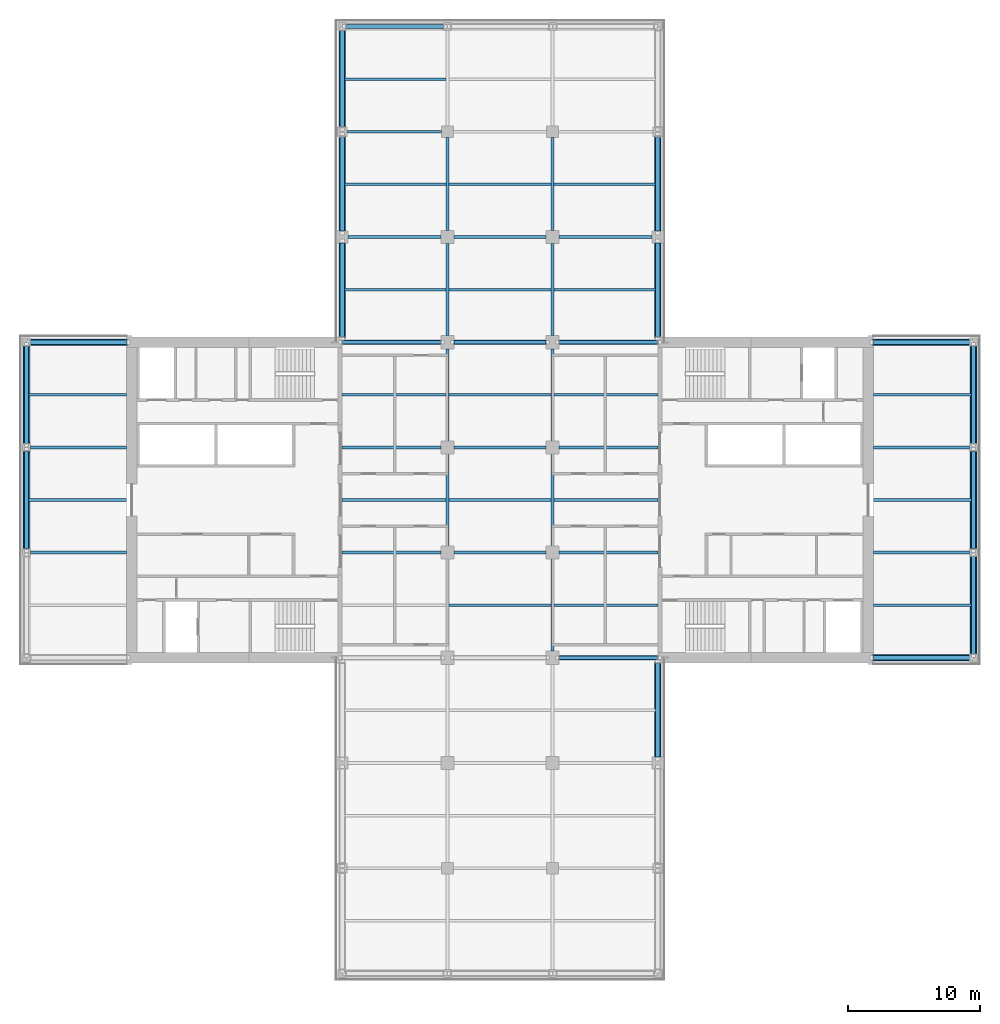
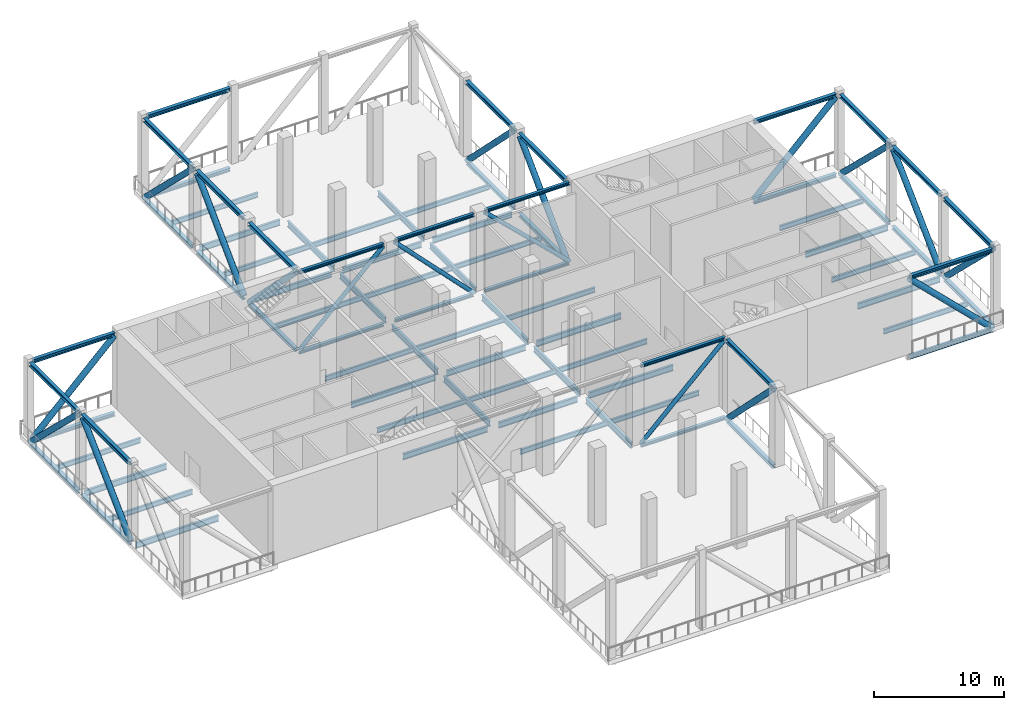
# One storey, part 2 of 18: 56 members, 43 beams.
"""IFC4 building model written with IfcOpenShell, lengths in metres."""

from ifc_helpers import new_model, si_unit, direction, frame, origin, origin_2d, place, context, subcontext, project, spatial, hollow_circle, i_section, extrude, material, material_profile, profile_set, type_object, element, save


model = new_model("IFC4")

# Units and contexts
model_context = context("Model", 3, precision=1e-05, world=origin(), true_north=direction((0.0, 1.0)))
body_context = subcontext(model_context, "Body", "Model", "MODEL_VIEW")
ifc_project = project(units=[si_unit("LENGTHUNIT", "METRE"), si_unit("AREAUNIT", "SQUARE_METRE"), si_unit("VOLUMEUNIT", "CUBIC_METRE"), si_unit("PLANEANGLEUNIT", "RADIAN"), si_unit("MASSUNIT", "GRAM", prefix="KILO")], contexts=[model_context])

# Site, building, storey
site_placement = place(None, origin())
site = spatial("IfcSite", under=ifc_project, at=site_placement, CompositionType="ELEMENT")
building_placement = place(site_placement, origin())
building = spatial("IfcBuilding", under=site, at=building_placement, Name="Crosswind Convention Tower", CompositionType="ELEMENT")
storey_placement = place(building_placement, frame((0.0, 0.0, 105.300048828125)))
storey = spatial("IfcBuildingStorey", under=building, at=storey_placement, Name="L21", CompositionType="ELEMENT", Elevation=105.300048828125)

# Beams
ifc_material = material(Name="Steel S355", Category="steel")
ifc_material_profile_1 = material_profile(ifc_material, i_section(OverallWidth=0.210693359375, OverallDepth=0.53955078125, WebThickness=0.01171875, FlangeThickness=0.018798828125, FilletRadius=0.0126953125, at=origin_2d()), Name="UB 533x210x109")
ifc_profile_set_1 = profile_set([ifc_material_profile_1], Name="Steel S355")
beam_type_1 = type_object("IfcBeamType", Name="Girder UB 533x210x109", PredefinedType="BEAM", material=ifc_profile_set_1)
beam_1_placement = place(storey_placement, frame((113.39990234375, 128.0, -0.669677734375), z_axis=(1.0, 0.0, 0.0), x_axis=(0.0, 1.0, 0.0)))
element("IfcBeam", 1, at=beam_1_placement, inside=storey, type_object=beam_type_1, Name="B5 L21 girder 2", PredefinedType="BEAM", context=body_context, shape_type="SweptSolid", body=[
    extrude(i_section(OverallWidth=0.210693359375, OverallDepth=0.53955078125, WebThickness=0.01171875, FlangeThickness=0.018798828125, FilletRadius=0.0126953125, at=origin_2d()), origin(), (0.0, 0.0, 1.0), 7.150146484375),
])
beam_2_placement = place(storey_placement, frame((113.449951171875, 120.0, -0.669677734375), z_axis=(1.0, 0.0, 0.0), x_axis=(0.0, 1.0, 0.0)))
element("IfcBeam", 2, at=beam_2_placement, inside=storey, type_object=beam_type_1, Name="B5 L21 girder 4", PredefinedType="BEAM", context=body_context, shape_type="SweptSolid", body=[
    extrude(i_section(OverallWidth=0.210693359375, OverallDepth=0.53955078125, WebThickness=0.01171875, FlangeThickness=0.018798828125, FilletRadius=0.0126953125, at=origin_2d()), origin(), (0.0, 0.0, 1.0), 7.050048828125),
])
for number, where, z_axis, x_axis, name in (
    (3, (121.0, 96.5, -0.669677734375), (0.0, 1.0, 0.0), (-1.0, 0.0, 0.0), "B5 L21 girder 9"),
    (4, (121.0, 104.5, -0.669677734375), (0.0, 1.0, 0.0), (-1.0, 0.0, 0.0), "B5 L21 girder 10"),
    (5, (121.0, 112.5, -0.669677734375), (0.0, 1.0, 0.0), (-1.0, 0.0, 0.0), "B5 L21 girder 11"),
):
    element("IfcBeam", number, at=place(storey_placement, frame(where, z_axis=z_axis, x_axis=x_axis)), inside=storey, type_object=beam_type_1, Name=name, PredefinedType="BEAM", context=body_context, shape_type="SweptSolid", body=[
        extrude(i_section(OverallWidth=0.210693359375, OverallDepth=0.53955078125, WebThickness=0.01171875, FlangeThickness=0.018798828125, FilletRadius=0.0126953125, at=origin_2d()), origin(), (0.0, 0.0, 1.0), 7.0),
    ])
beam_3_placement = place(storey_placement, frame((121.0, 120.5, -0.669677734375), z_axis=(0.0, 1.0, 0.0), x_axis=(-1.0, 0.0, 0.0)))
element("IfcBeam", 6, at=beam_3_placement, inside=storey, type_object=beam_type_1, Name="B5 L21 girder 12", PredefinedType="BEAM", context=body_context, shape_type="SweptSolid", body=[
    extrude(i_section(OverallWidth=0.210693359375, OverallDepth=0.53955078125, WebThickness=0.01171875, FlangeThickness=0.018798828125, FilletRadius=0.0126953125, at=origin_2d()), origin(), (0.0, 0.0, 1.0), 7.050048828125),
])
for number, where, z_axis, x_axis, name in (
    (7, (121.5, 96.0, -0.669677734375), (1.0, 0.0, 0.0), (0.0, 1.0, 0.0), "B5 L21 girder 17"),
    (8, (121.5, 104.0, -0.669677734375), (1.0, 0.0, 0.0), (0.0, 1.0, 0.0), "B5 L21 girder 18"),
    (9, (121.5, 120.0, -0.669677734375), (1.0, 0.0, 0.0), (0.0, 1.0, 0.0), "B5 L21 girder 19"),
    (10, (129.0, 88.5, -0.669677734375), (0.0, 1.0, 0.0), (-1.0, 0.0, 0.0), "B5 L21 girder 23"),
    (11, (129.0, 96.5, -0.669677734375), (0.0, 1.0, 0.0), (-1.0, 0.0, 0.0), "B5 L21 girder 24"),
    (12, (129.0, 104.5, -0.669677734375), (0.0, 1.0, 0.0), (-1.0, 0.0, 0.0), "B5 L21 girder 25"),
    (13, (129.0, 112.5, -0.669677734375), (0.0, 1.0, 0.0), (-1.0, 0.0, 0.0), "B5 L21 girder 26"),
):
    element("IfcBeam", number, at=place(storey_placement, frame(where, z_axis=z_axis, x_axis=x_axis)), inside=storey, type_object=beam_type_1, Name=name, PredefinedType="BEAM", context=body_context, shape_type="SweptSolid", body=[
        extrude(i_section(OverallWidth=0.210693359375, OverallDepth=0.53955078125, WebThickness=0.01171875, FlangeThickness=0.018798828125, FilletRadius=0.0126953125, at=origin_2d()), origin(), (0.0, 0.0, 1.0), 7.0),
    ])
for number, where, z_axis, x_axis, name in (
    (14, (129.0, 120.5, -0.669677734375), (0.0, 1.0, 0.0), (-1.0, 0.0, 0.0), "B5 L21 girder 27"),
    (15, (129.5, 120.0, -0.669677734375), (1.0, 0.0, 0.0), (0.0, 1.0, 0.0), "B5 L21 girder 32"),
):
    element("IfcBeam", number, at=place(storey_placement, frame(where, z_axis=z_axis, x_axis=x_axis)), inside=storey, type_object=beam_type_1, Name=name, PredefinedType="BEAM", context=body_context, shape_type="SweptSolid", body=[
        extrude(i_section(OverallWidth=0.210693359375, OverallDepth=0.53955078125, WebThickness=0.01171875, FlangeThickness=0.018798828125, FilletRadius=0.0126953125, at=origin_2d()), origin(), (0.0, 0.0, 1.0), 7.050048828125),
    ])
ifc_material_profile_2 = material_profile(ifc_material, i_section(OverallWidth=0.2119140625, OverallDepth=0.544677734375, WebThickness=0.0126953125, FlangeThickness=0.021240234375, FilletRadius=0.0126953125, at=origin_2d()), Name="UB 533x210x122")
ifc_profile_set_2 = profile_set([ifc_material_profile_2], Name="Steel S355")
beam_type_2 = type_object("IfcBeamType", Name="Girder at core wall UB 533x210x122", PredefinedType="BEAM", material=ifc_profile_set_2)
for number, where, z_axis, x_axis, name in (
    (16, (89.300048828125, 96.0, -0.67236328125), (1.0, 0.0, 0.0), (0.0, 1.0, 0.0), "B26 L21 girder at core wall 1"),
    (17, (89.300048828125, 104.0, -0.67236328125), (1.0, 0.0, 0.0), (0.0, 1.0, 0.0), "B26 L21 girder at core wall 2"),
):
    element("IfcBeam", number, at=place(storey_placement, frame(where, z_axis=z_axis, x_axis=x_axis)), inside=storey, type_object=beam_type_2, Name=name, PredefinedType="BEAM", context=body_context, shape_type="SweptSolid", body=[
        extrude(i_section(OverallWidth=0.2119140625, OverallDepth=0.544677734375, WebThickness=0.0126953125, FlangeThickness=0.021240234375, FilletRadius=0.0126953125, at=origin_2d()), origin(), (0.0, 0.0, 1.0), 7.300048828125),
    ])
for number, where, z_axis, x_axis, name in (
    (18, (113.0, 96.0, -0.67236328125), (1.0, 0.0, 0.0), (0.0, 1.0, 0.0), "B26 L21 girder at core wall 3"),
    (19, (113.0, 104.0, -0.67236328125), (1.0, 0.0, 0.0), (0.0, 1.0, 0.0), "B26 L21 girder at core wall 4"),
    (20, (129.5, 96.0, -0.67236328125), (1.0, 0.0, 0.0), (0.0, 1.0, 0.0), "B26 L21 girder at core wall 5"),
    (21, (129.5, 104.0, -0.67236328125), (1.0, 0.0, 0.0), (0.0, 1.0, 0.0), "B26 L21 girder at core wall 6"),
):
    element("IfcBeam", number, at=place(storey_placement, frame(where, z_axis=z_axis, x_axis=x_axis)), inside=storey, type_object=beam_type_2, Name=name, PredefinedType="BEAM", context=body_context, shape_type="SweptSolid", body=[
        extrude(i_section(OverallWidth=0.2119140625, OverallDepth=0.544677734375, WebThickness=0.0126953125, FlangeThickness=0.021240234375, FilletRadius=0.0126953125, at=origin_2d()), origin(), (0.0, 0.0, 1.0), 7.5),
    ])
for number, where, z_axis, x_axis, name in (
    (22, (153.39990234375, 96.0, -0.67236328125), (1.0, 0.0, 0.0), (0.0, 1.0, 0.0), "B26 L21 girder at core wall 7"),
    (23, (153.39990234375, 104.0, -0.67236328125), (1.0, 0.0, 0.0), (0.0, 1.0, 0.0), "B26 L21 girder at core wall 8"),
):
    element("IfcBeam", number, at=place(storey_placement, frame(where, z_axis=z_axis, x_axis=x_axis)), inside=storey, type_object=beam_type_2, Name=name, PredefinedType="BEAM", context=body_context, shape_type="SweptSolid", body=[
        extrude(i_section(OverallWidth=0.2119140625, OverallDepth=0.544677734375, WebThickness=0.0126953125, FlangeThickness=0.021240234375, FilletRadius=0.0126953125, at=origin_2d()), origin(), (0.0, 0.0, 1.0), 7.300048828125),
    ])
ifc_material_profile_3 = material_profile(ifc_material, i_section(OverallWidth=0.1904296875, OverallDepth=0.457275390625, WebThickness=0.009033203125, FlangeThickness=0.014404296875, FilletRadius=0.01025390625, at=origin_2d()), Name="UB 457x191x75")
ifc_profile_set_3 = profile_set([ifc_material_profile_3], Name="Steel S355")
beam_type_3 = type_object("IfcBeamType", Name="Secondary beam UB 457x191x75", PredefinedType="JOIST", material=ifc_profile_set_3)
for number, where, z_axis, x_axis, name in (
    (24, (89.156982421875, 100.0, -0.628662109375), (1.0, 0.0, 0.0), (0.0, 1.0, 0.0), "B12 L21 secondary beam 2"),
    (25, (89.156982421875, 108.0, -0.628662109375), (1.0, 0.0, 0.0), (0.0, 1.0, 0.0), "B12 L21 secondary beam 3"),
):
    element("IfcBeam", number, at=place(storey_placement, frame(where, z_axis=z_axis, x_axis=x_axis)), inside=storey, type_object=beam_type_3, Name=name, PredefinedType="JOIST", context=body_context, shape_type="SweptSolid", body=[
        extrude(i_section(OverallWidth=0.1904296875, OverallDepth=0.457275390625, WebThickness=0.009033203125, FlangeThickness=0.014404296875, FilletRadius=0.01025390625, at=origin_2d()), origin(), (0.0, 0.0, 1.0), 7.443115234375),
    ])
for number, where, z_axis, x_axis, name in (
    (26, (113.0, 100.0, -0.628662109375), (1.0, 0.0, 0.0), (0.0, 1.0, 0.0), "B12 L21 secondary beam 5"),
    (27, (113.0, 108.0, -0.628662109375), (1.0, 0.0, 0.0), (0.0, 1.0, 0.0), "B12 L21 secondary beam 6"),
):
    element("IfcBeam", number, at=place(storey_placement, frame(where, z_axis=z_axis, x_axis=x_axis)), inside=storey, type_object=beam_type_3, Name=name, PredefinedType="JOIST", context=body_context, shape_type="SweptSolid", body=[
        extrude(i_section(OverallWidth=0.1904296875, OverallDepth=0.457275390625, WebThickness=0.009033203125, FlangeThickness=0.014404296875, FilletRadius=0.01025390625, at=origin_2d()), origin(), (0.0, 0.0, 1.0), 7.89453125),
    ])
for number, where, z_axis, x_axis, name in (
    (28, (113.156982421875, 116.0, -0.628662109375), (1.0, 0.0, 0.0), (0.0, 1.0, 0.0), "B12 L21 secondary beam 10"),
    (29, (113.156982421875, 124.0, -0.628662109375), (1.0, 0.0, 0.0), (0.0, 1.0, 0.0), "B12 L21 secondary beam 11"),
    (30, (113.156982421875, 132.0, -0.628662109375), (1.0, 0.0, 0.0), (0.0, 1.0, 0.0), "B12 L21 secondary beam 12"),
):
    element("IfcBeam", number, at=place(storey_placement, frame(where, z_axis=z_axis, x_axis=x_axis)), inside=storey, type_object=beam_type_3, Name=name, PredefinedType="JOIST", context=body_context, shape_type="SweptSolid", body=[
        extrude(i_section(OverallWidth=0.1904296875, OverallDepth=0.457275390625, WebThickness=0.009033203125, FlangeThickness=0.014404296875, FilletRadius=0.01025390625, at=origin_2d()), origin(), (0.0, 0.0, 1.0), 7.737548828125),
    ])
for number, where, z_axis, x_axis, name in (
    (31, (121.10546875, 92.0, -0.628662109375), (1.0, 0.0, 0.0), (0.0, 1.0, 0.0), "B12 L21 secondary beam 16"),
    (32, (121.10546875, 100.0, -0.628662109375), (1.0, 0.0, 0.0), (0.0, 1.0, 0.0), "B12 L21 secondary beam 17"),
    (33, (121.10546875, 108.0, -0.628662109375), (1.0, 0.0, 0.0), (0.0, 1.0, 0.0), "B12 L21 secondary beam 18"),
    (34, (121.10546875, 116.0, -0.628662109375), (1.0, 0.0, 0.0), (0.0, 1.0, 0.0), "B12 L21 secondary beam 19"),
    (35, (121.10546875, 124.0, -0.628662109375), (1.0, 0.0, 0.0), (0.0, 1.0, 0.0), "B12 L21 secondary beam 20"),
):
    element("IfcBeam", number, at=place(storey_placement, frame(where, z_axis=z_axis, x_axis=x_axis)), inside=storey, type_object=beam_type_3, Name=name, PredefinedType="JOIST", context=body_context, shape_type="SweptSolid", body=[
        extrude(i_section(OverallWidth=0.1904296875, OverallDepth=0.457275390625, WebThickness=0.009033203125, FlangeThickness=0.014404296875, FilletRadius=0.01025390625, at=origin_2d()), origin(), (0.0, 0.0, 1.0), 7.7890625),
    ])
for number, where, z_axis, x_axis, name in (
    (36, (129.10546875, 92.0, -0.628662109375), (1.0, 0.0, 0.0), (0.0, 1.0, 0.0), "B12 L21 secondary beam 25"),
    (37, (129.10546875, 100.0, -0.628662109375), (1.0, 0.0, 0.0), (0.0, 1.0, 0.0), "B12 L21 secondary beam 26"),
    (38, (129.10546875, 108.0, -0.628662109375), (1.0, 0.0, 0.0), (0.0, 1.0, 0.0), "B12 L21 secondary beam 27"),
):
    element("IfcBeam", number, at=place(storey_placement, frame(where, z_axis=z_axis, x_axis=x_axis)), inside=storey, type_object=beam_type_3, Name=name, PredefinedType="JOIST", context=body_context, shape_type="SweptSolid", body=[
        extrude(i_section(OverallWidth=0.1904296875, OverallDepth=0.457275390625, WebThickness=0.009033203125, FlangeThickness=0.014404296875, FilletRadius=0.01025390625, at=origin_2d()), origin(), (0.0, 0.0, 1.0), 7.89453125),
    ])
for number, where, z_axis, x_axis, name in (
    (39, (129.10546875, 116.0, -0.628662109375), (1.0, 0.0, 0.0), (0.0, 1.0, 0.0), "B12 L21 secondary beam 28"),
    (40, (129.10546875, 124.0, -0.628662109375), (1.0, 0.0, 0.0), (0.0, 1.0, 0.0), "B12 L21 secondary beam 29"),
):
    element("IfcBeam", number, at=place(storey_placement, frame(where, z_axis=z_axis, x_axis=x_axis)), inside=storey, type_object=beam_type_3, Name=name, PredefinedType="JOIST", context=body_context, shape_type="SweptSolid", body=[
        extrude(i_section(OverallWidth=0.1904296875, OverallDepth=0.457275390625, WebThickness=0.009033203125, FlangeThickness=0.014404296875, FilletRadius=0.01025390625, at=origin_2d()), origin(), (0.0, 0.0, 1.0), 7.737548828125),
    ])
for number, where, z_axis, x_axis, name in (
    (41, (153.39990234375, 92.0, -0.628662109375), (1.0, 0.0, 0.0), (0.0, 1.0, 0.0), "B12 L21 secondary beam 31"),
    (42, (153.39990234375, 100.0, -0.628662109375), (1.0, 0.0, 0.0), (0.0, 1.0, 0.0), "B12 L21 secondary beam 32"),
    (43, (153.39990234375, 108.0, -0.628662109375), (1.0, 0.0, 0.0), (0.0, 1.0, 0.0), "B12 L21 secondary beam 33"),
):
    element("IfcBeam", number, at=place(storey_placement, frame(where, z_axis=z_axis, x_axis=x_axis)), inside=storey, type_object=beam_type_3, Name=name, PredefinedType="JOIST", context=body_context, shape_type="SweptSolid", body=[
        extrude(i_section(OverallWidth=0.1904296875, OverallDepth=0.457275390625, WebThickness=0.009033203125, FlangeThickness=0.014404296875, FilletRadius=0.01025390625, at=origin_2d()), origin(), (0.0, 0.0, 1.0), 7.443115234375),
    ])

# Members
ifc_material_profile_4 = material_profile(ifc_material, i_section(OverallWidth=0.264404296875, OverallDepth=0.2890625, WebThickness=0.019287109375, FlangeThickness=0.03173828125, FilletRadius=0.0126953125, at=origin_2d()), Name="UC 254x254x167")
ifc_profile_set_4 = profile_set([ifc_material_profile_4], Name="Steel S355")
member_type_1 = type_object("IfcMemberType", Name="Truss chord UC 254x254x167", PredefinedType="CHORD", material=ifc_profile_set_4)
for number, where, z_axis, x_axis, name in (
    (44, (113.0, 112.0, -0.544677734375), (1.0, 0.0, 0.0), (0.0, 1.0, 0.0), "M3 L21 bottom chord 30"),
    (45, (113.0, 112.0, 6.955322265625), (1.0, 0.0, 0.0), (0.0, 1.0, 0.0), "M3 L21 top chord 30"),
):
    element("IfcMember", number, at=place(storey_placement, frame(where, z_axis=z_axis, x_axis=x_axis)), inside=storey, type_object=member_type_1, Name=name, PredefinedType="CHORD", context=body_context, shape_type="SweptSolid", body=[
        extrude(i_section(OverallWidth=0.264404296875, OverallDepth=0.2890625, WebThickness=0.019287109375, FlangeThickness=0.03173828125, FilletRadius=0.0126953125, at=origin_2d()), origin(), (0.0, 0.0, 1.0), 7.5),
    ])
for number, where, z_axis, x_axis, name in (
    (46, (121.5, 112.0, -0.544677734375), (1.0, 0.0, 0.0), (0.0, 1.0, 0.0), "M3 L21 bottom chord 32"),
    (47, (121.5, 112.0, 6.955322265625), (1.0, 0.0, 0.0), (0.0, 1.0, 0.0), "M3 L21 top chord 32"),
):
    element("IfcMember", number, at=place(storey_placement, frame(where, z_axis=z_axis, x_axis=x_axis)), inside=storey, type_object=member_type_1, Name=name, PredefinedType="CHORD", context=body_context, shape_type="SweptSolid", body=[
        extrude(i_section(OverallWidth=0.264404296875, OverallDepth=0.2890625, WebThickness=0.019287109375, FlangeThickness=0.03173828125, FilletRadius=0.0126953125, at=origin_2d()), origin(), (0.0, 0.0, 1.0), 7.0),
    ])
for number, where, z_axis, x_axis, name in (
    (48, (129.5, 88.0, -0.544677734375), (1.0, 0.0, 0.0), (0.0, 1.0, 0.0), "M3 L21 bottom chord 33"),
    (49, (129.5, 88.0, 6.955322265625), (1.0, 0.0, 0.0), (0.0, 1.0, 0.0), "M3 L21 top chord 33"),
    (50, (129.5, 112.0, -0.544677734375), (1.0, 0.0, 0.0), (0.0, 1.0, 0.0), "M3 L21 bottom chord 34"),
    (51, (129.5, 112.0, 6.955322265625), (1.0, 0.0, 0.0), (0.0, 1.0, 0.0), "M3 L21 top chord 34"),
):
    element("IfcMember", number, at=place(storey_placement, frame(where, z_axis=z_axis, x_axis=x_axis)), inside=storey, type_object=member_type_1, Name=name, PredefinedType="CHORD", context=body_context, shape_type="SweptSolid", body=[
        extrude(i_section(OverallWidth=0.264404296875, OverallDepth=0.2890625, WebThickness=0.019287109375, FlangeThickness=0.03173828125, FilletRadius=0.0126953125, at=origin_2d()), origin(), (0.0, 0.0, 1.0), 7.5),
    ])
ifc_material_profile_5 = material_profile(ifc_material, i_section(OverallWidth=0.314208984375, OverallDepth=0.33984375, WebThickness=0.019287109375, FlangeThickness=0.031494140625, FilletRadius=0.01513671875, at=origin_2d()), Name="UC 305x305x198")
ifc_profile_set_5 = profile_set([ifc_material_profile_5], Name="Steel S355")
member_type_2 = type_object("IfcMemberType", Name="Truss chord UC 305x305x198", PredefinedType="CHORD", material=ifc_profile_set_5)
for number, where, z_axis, x_axis, name in (
    (52, (89.0, 96.300048828125, -0.570068359375), (0.0, 1.0, 0.0), (-1.0, 0.0, 0.0), "M1 L21 bottom chord 3"),
    (53, (89.0, 96.300048828125, 6.929931640625), (0.0, 1.0, 0.0), (-1.0, 0.0, 0.0), "M1 L21 top chord 3"),
    (54, (89.0, 104.300048828125, -0.570068359375), (0.0, 1.0, 0.0), (-1.0, 0.0, 0.0), "M1 L21 bottom chord 4"),
    (55, (89.0, 104.300048828125, 6.929931640625), (0.0, 1.0, 0.0), (-1.0, 0.0, 0.0), "M1 L21 top chord 4"),
):
    element("IfcMember", number, at=place(storey_placement, frame(where, z_axis=z_axis, x_axis=x_axis)), inside=storey, type_object=member_type_2, Name=name, PredefinedType="CHORD", context=body_context, shape_type="SweptSolid", body=[
        extrude(i_section(OverallWidth=0.314208984375, OverallDepth=0.33984375, WebThickness=0.019287109375, FlangeThickness=0.031494140625, FilletRadius=0.01513671875, at=origin_2d()), origin(), (0.0, 0.0, 1.0), 7.39990234375),
    ])
for number, where, z_axis, x_axis, name in (
    (56, (89.300048828125, 112.0, -0.570068359375), (1.0, 0.0, 0.0), (0.0, 1.0, 0.0), "M1 L21 bottom chord 5"),
    (57, (89.300048828125, 112.0, 6.929931640625), (1.0, 0.0, 0.0), (0.0, 1.0, 0.0), "M1 L21 top chord 5"),
):
    element("IfcMember", number, at=place(storey_placement, frame(where, z_axis=z_axis, x_axis=x_axis)), inside=storey, type_object=member_type_2, Name=name, PredefinedType="CHORD", context=body_context, shape_type="SweptSolid", body=[
        extrude(i_section(OverallWidth=0.314208984375, OverallDepth=0.33984375, WebThickness=0.019287109375, FlangeThickness=0.031494140625, FilletRadius=0.01513671875, at=origin_2d()), origin(), (0.0, 0.0, 1.0), 7.300048828125),
    ])
for number, where, z_axis, x_axis, name in (
    (58, (113.0, 112.39990234375, -0.570068359375), (0.0, 1.0, 0.0), (-1.0, 0.0, 0.0), "M1 L21 bottom chord 10"),
    (59, (113.0, 112.39990234375, 6.929931640625), (0.0, 1.0, 0.0), (-1.0, 0.0, 0.0), "M1 L21 top chord 10"),
    (60, (113.0, 120.449951171875, -0.570068359375), (0.0, 1.0, 0.0), (-1.0, 0.0, 0.0), "M1 L21 bottom chord 11"),
):
    element("IfcMember", number, at=place(storey_placement, frame(where, z_axis=z_axis, x_axis=x_axis)), inside=storey, type_object=member_type_2, Name=name, PredefinedType="CHORD", context=body_context, shape_type="SweptSolid", body=[
        extrude(i_section(OverallWidth=0.314208984375, OverallDepth=0.33984375, WebThickness=0.019287109375, FlangeThickness=0.031494140625, FilletRadius=0.01513671875, at=origin_2d()), origin(), (0.0, 0.0, 1.0), 7.150146484375),
    ])
member_1_placement = place(storey_placement, frame((113.0, 120.449951171875, 6.929931640625), z_axis=(0.0, 1.0, 0.0), x_axis=(-1.0, 0.0, 0.0)))
element("IfcMember", 61, at=member_1_placement, inside=storey, type_object=member_type_2, Name="M1 L21 top chord 11", PredefinedType="CHORD", context=body_context, shape_type="SweptSolid", body=[
    extrude(i_section(OverallWidth=0.314208984375, OverallDepth=0.33984375, WebThickness=0.019287109375, FlangeThickness=0.031494140625, FilletRadius=0.01513671875, at=origin_2d()), origin(), (0.0, 0.0, 1.0), 7.199951171875),
])
member_2_placement = place(storey_placement, frame((113.0, 128.39990234375, -0.570068359375), z_axis=(0.0, 1.0, 0.0), x_axis=(-1.0, 0.0, 0.0)))
element("IfcMember", 62, at=member_2_placement, inside=storey, type_object=member_type_2, Name="M1 L21 bottom chord 12", PredefinedType="CHORD", context=body_context, shape_type="SweptSolid", body=[
    extrude(i_section(OverallWidth=0.314208984375, OverallDepth=0.33984375, WebThickness=0.019287109375, FlangeThickness=0.031494140625, FilletRadius=0.01513671875, at=origin_2d()), origin(), (0.0, 0.0, 1.0), 7.300048828125),
])
member_3_placement = place(storey_placement, frame((113.0, 128.35009765625, 6.929931640625), z_axis=(0.0, 1.0, 0.0), x_axis=(-1.0, 0.0, 0.0)))
element("IfcMember", 63, at=member_3_placement, inside=storey, type_object=member_type_2, Name="M1 L21 top chord 12", PredefinedType="CHORD", context=body_context, shape_type="SweptSolid", body=[
    extrude(i_section(OverallWidth=0.314208984375, OverallDepth=0.33984375, WebThickness=0.019287109375, FlangeThickness=0.031494140625, FilletRadius=0.01513671875, at=origin_2d()), origin(), (0.0, 0.0, 1.0), 7.349853515625),
])
for number, where, z_axis, x_axis, name in (
    (64, (113.300048828125, 136.0, -0.570068359375), (1.0, 0.0, 0.0), (0.0, 1.0, 0.0), "M1 L21 bottom chord 13"),
    (65, (113.300048828125, 136.0, 6.929931640625), (1.0, 0.0, 0.0), (0.0, 1.0, 0.0), "M1 L21 top chord 13"),
):
    element("IfcMember", number, at=place(storey_placement, frame(where, z_axis=z_axis, x_axis=x_axis)), inside=storey, type_object=member_type_2, Name=name, PredefinedType="CHORD", context=body_context, shape_type="SweptSolid", body=[
        extrude(i_section(OverallWidth=0.314208984375, OverallDepth=0.33984375, WebThickness=0.019287109375, FlangeThickness=0.031494140625, FilletRadius=0.01513671875, at=origin_2d()), origin(), (0.0, 0.0, 1.0), 7.39990234375),
    ])
for number, where, z_axis, x_axis, name in (
    (66, (137.0, 80.449951171875, -0.570068359375), (0.0, 1.0, 0.0), (-1.0, 0.0, 0.0), "M1 L21 bottom chord 20"),
    (67, (137.0, 80.449951171875, 6.929931640625), (0.0, 1.0, 0.0), (-1.0, 0.0, 0.0), "M1 L21 top chord 20"),
    (68, (137.0, 112.39990234375, -0.570068359375), (0.0, 1.0, 0.0), (-1.0, 0.0, 0.0), "M1 L21 bottom chord 21"),
    (69, (137.0, 112.39990234375, 6.929931640625), (0.0, 1.0, 0.0), (-1.0, 0.0, 0.0), "M1 L21 top chord 21"),
    (70, (137.0, 120.449951171875, -0.570068359375), (0.0, 1.0, 0.0), (-1.0, 0.0, 0.0), "M1 L21 bottom chord 22"),
):
    element("IfcMember", number, at=place(storey_placement, frame(where, z_axis=z_axis, x_axis=x_axis)), inside=storey, type_object=member_type_2, Name=name, PredefinedType="CHORD", context=body_context, shape_type="SweptSolid", body=[
        extrude(i_section(OverallWidth=0.314208984375, OverallDepth=0.33984375, WebThickness=0.019287109375, FlangeThickness=0.031494140625, FilletRadius=0.01513671875, at=origin_2d()), origin(), (0.0, 0.0, 1.0), 7.150146484375),
    ])
member_4_placement = place(storey_placement, frame((137.0, 120.449951171875, 6.929931640625), z_axis=(0.0, 1.0, 0.0), x_axis=(-1.0, 0.0, 0.0)))
element("IfcMember", 71, at=member_4_placement, inside=storey, type_object=member_type_2, Name="M1 L21 top chord 22", PredefinedType="CHORD", context=body_context, shape_type="SweptSolid", body=[
    extrude(i_section(OverallWidth=0.314208984375, OverallDepth=0.33984375, WebThickness=0.019287109375, FlangeThickness=0.031494140625, FilletRadius=0.01513671875, at=origin_2d()), origin(), (0.0, 0.0, 1.0), 7.199951171875),
])
for number, where, z_axis, x_axis, name in (
    (72, (153.39990234375, 88.0, -0.570068359375), (1.0, 0.0, 0.0), (0.0, 1.0, 0.0), "M1 L21 bottom chord 24"),
    (73, (153.39990234375, 88.0, 6.929931640625), (1.0, 0.0, 0.0), (0.0, 1.0, 0.0), "M1 L21 top chord 24"),
    (74, (153.39990234375, 112.0, -0.570068359375), (1.0, 0.0, 0.0), (0.0, 1.0, 0.0), "M1 L21 bottom chord 25"),
    (75, (153.39990234375, 112.0, 6.929931640625), (1.0, 0.0, 0.0), (0.0, 1.0, 0.0), "M1 L21 top chord 25"),
):
    element("IfcMember", number, at=place(storey_placement, frame(where, z_axis=z_axis, x_axis=x_axis)), inside=storey, type_object=member_type_2, Name=name, PredefinedType="CHORD", context=body_context, shape_type="SweptSolid", body=[
        extrude(i_section(OverallWidth=0.314208984375, OverallDepth=0.33984375, WebThickness=0.019287109375, FlangeThickness=0.031494140625, FilletRadius=0.01513671875, at=origin_2d()), origin(), (0.0, 0.0, 1.0), 7.300048828125),
    ])
for number, where, z_axis, x_axis, name in (
    (76, (161.0, 88.300048828125, -0.570068359375), (0.0, 1.0, 0.0), (-1.0, 0.0, 0.0), "M1 L21 bottom chord 26"),
    (77, (161.0, 88.300048828125, 6.929931640625), (0.0, 1.0, 0.0), (-1.0, 0.0, 0.0), "M1 L21 top chord 26"),
    (78, (161.0, 96.300048828125, -0.570068359375), (0.0, 1.0, 0.0), (-1.0, 0.0, 0.0), "M1 L21 bottom chord 27"),
    (79, (161.0, 96.300048828125, 6.929931640625), (0.0, 1.0, 0.0), (-1.0, 0.0, 0.0), "M1 L21 top chord 27"),
    (80, (161.0, 104.300048828125, -0.570068359375), (0.0, 1.0, 0.0), (-1.0, 0.0, 0.0), "M1 L21 bottom chord 28"),
    (81, (161.0, 104.300048828125, 6.929931640625), (0.0, 1.0, 0.0), (-1.0, 0.0, 0.0), "M1 L21 top chord 28"),
):
    element("IfcMember", number, at=place(storey_placement, frame(where, z_axis=z_axis, x_axis=x_axis)), inside=storey, type_object=member_type_2, Name=name, PredefinedType="CHORD", context=body_context, shape_type="SweptSolid", body=[
        extrude(i_section(OverallWidth=0.314208984375, OverallDepth=0.33984375, WebThickness=0.019287109375, FlangeThickness=0.031494140625, FilletRadius=0.01513671875, at=origin_2d()), origin(), (0.0, 0.0, 1.0), 7.39990234375),
    ])
ifc_material_profile_6 = material_profile(ifc_material, hollow_circle(Radius=0.177734375, WallThickness=0.011962890625, at=origin_2d()), Name="CHS 355.6x12.0")
ifc_profile_set_6 = profile_set([ifc_material_profile_6], Name="Steel S355")
member_type_3 = type_object("IfcMemberType", Name="Truss diagonal CHS 355.6x12.0", PredefinedType="BRACE", material=ifc_profile_set_6)
member_5_placement = place(storey_placement, frame((113.0, 112.0, -0.400146484375), z_axis=(0.720861922764, 0.0, 0.693078702824), x_axis=(0.0, 1.0, 0.0)))
element("IfcMember", 82, at=member_5_placement, inside=storey, type_object=member_type_3, Name="M4 L21 diagonal 30", PredefinedType="BRACE", context=body_context, shape_type="SweptSolid", body=[
    extrude(hollow_circle(Radius=0.177734375, WallThickness=0.011962890625, at=origin_2d()), origin(), (0.0, 0.0, 1.0), 10.404296875),
])
member_6_placement = place(storey_placement, frame((121.5, 112.0, 6.810791015625), z_axis=(0.696534241166, 0.0, -0.717523554236), x_axis=(0.0, 1.0, 0.0)))
element("IfcMember", 83, at=member_6_placement, inside=storey, type_object=member_type_3, Name="M4 L21 diagonal 32", PredefinedType="BRACE", context=body_context, shape_type="SweptSolid", body=[
    extrude(hollow_circle(Radius=0.177734375, WallThickness=0.011962890625, at=origin_2d()), origin(), (0.0, 0.0, 1.0), 10.0498046875),
])
for number, where, z_axis, x_axis, name in (
    (84, (129.5, 88.0, -0.400146484375), (0.720861922764, 0.0, 0.693078702824), (0.0, 1.0, 0.0), "M4 L21 diagonal 33"),
    (85, (129.5, 112.0, 6.810791015625), (0.720861922764, 0.0, -0.693078702824), (0.0, 1.0, 0.0), "M4 L21 diagonal 34"),
):
    element("IfcMember", number, at=place(storey_placement, frame(where, z_axis=z_axis, x_axis=x_axis)), inside=storey, type_object=member_type_3, Name=name, PredefinedType="BRACE", context=body_context, shape_type="SweptSolid", body=[
        extrude(hollow_circle(Radius=0.177734375, WallThickness=0.011962890625, at=origin_2d()), origin(), (0.0, 0.0, 1.0), 10.404296875),
    ])
ifc_material_profile_7 = material_profile(ifc_material, hollow_circle(Radius=0.25390625, WallThickness=0.011962890625, at=origin_2d()), Name="CHS 508.0x12.0")
ifc_profile_set_7 = profile_set([ifc_material_profile_7], Name="Steel S355")
member_type_4 = type_object("IfcMemberType", Name="Truss diagonal CHS 508.0x12.0", PredefinedType="BRACE", material=ifc_profile_set_7)
for number, where, z_axis, x_axis, name in (
    (86, (89.0, 96.300048828125, -0.400146484375), (0.0, 0.71865259228, 0.695369291534), (-1.0, 0.0, 0.0), "M2 L21 diagonal 3"),
    (87, (89.0, 104.300048828125, 6.760009765625), (0.0, 0.71865259228, -0.695369291534), (-1.0, 0.0, 0.0), "M2 L21 diagonal 4"),
):
    element("IfcMember", number, at=place(storey_placement, frame(where, z_axis=z_axis, x_axis=x_axis)), inside=storey, type_object=member_type_4, Name=name, PredefinedType="BRACE", context=body_context, shape_type="SweptSolid", body=[
        extrude(hollow_circle(Radius=0.25390625, WallThickness=0.011962890625, at=origin_2d()), origin(), (0.0, 0.0, 1.0), 10.296875),
    ])
member_7_placement = place(storey_placement, frame((89.300048828125, 112.0, -0.400146484375), z_axis=(0.713914147212, 0.0, 0.700233240007), x_axis=(0.0, 1.0, 0.0)))
element("IfcMember", 88, at=member_7_placement, inside=storey, type_object=member_type_4, Name="M2 L21 diagonal 5", PredefinedType="BRACE", context=body_context, shape_type="SweptSolid", body=[
    extrude(hollow_circle(Radius=0.25390625, WallThickness=0.011962890625, at=origin_2d()), origin(), (0.0, 0.0, 1.0), 10.225341796875),
])
member_8_placement = place(storey_placement, frame((113.0, 112.39990234375, 6.760009765625), z_axis=(0.0, 0.706612001516, -0.70760121489), x_axis=(-1.0, 0.0, 0.0)))
element("IfcMember", 89, at=member_8_placement, inside=storey, type_object=member_type_4, Name="M2 L21 diagonal 10", PredefinedType="BRACE", context=body_context, shape_type="SweptSolid", body=[
    extrude(hollow_circle(Radius=0.25390625, WallThickness=0.011962890625, at=origin_2d()), origin(), (0.0, 0.0, 1.0), 10.118896484375),
])
member_9_placement = place(storey_placement, frame((113.0, 120.449951171875, -0.400146484375), z_axis=(0.0, 0.709063602297, 0.705144529794), x_axis=(-1.0, 0.0, 0.0)))
element("IfcMember", 90, at=member_9_placement, inside=storey, type_object=member_type_4, Name="M2 L21 diagonal 11", PredefinedType="BRACE", context=body_context, shape_type="SweptSolid", body=[
    extrude(hollow_circle(Radius=0.25390625, WallThickness=0.011962890625, at=origin_2d()), origin(), (0.0, 0.0, 1.0), 10.154052734375),
])
member_10_placement = place(storey_placement, frame((113.0, 128.35009765625, 6.760009765625), z_axis=(0.0, 0.716289962853, -0.697802758032), x_axis=(-1.0, 0.0, 0.0)))
element("IfcMember", 91, at=member_10_placement, inside=storey, type_object=member_type_4, Name="M2 L21 diagonal 12", PredefinedType="BRACE", context=body_context, shape_type="SweptSolid", body=[
    extrude(hollow_circle(Radius=0.25390625, WallThickness=0.011962890625, at=origin_2d()), origin(), (0.0, 0.0, 1.0), 10.260986328125),
])
for number, where, z_axis, x_axis, name in (
    (92, (137.0, 80.449951171875, 6.760009765625), (0.0, 0.706612001516, -0.70760121489), (-1.0, 0.0, 0.0), "M2 L21 diagonal 20"),
    (93, (137.0, 112.39990234375, -0.400146484375), (0.0, 0.706612001516, 0.70760121489), (-1.0, 0.0, 0.0), "M2 L21 diagonal 21"),
    (94, (137.0, 120.449951171875, 6.760009765625), (0.0, 0.706612001516, -0.70760121489), (-1.0, 0.0, 0.0), "M2 L21 diagonal 22"),
):
    element("IfcMember", number, at=place(storey_placement, frame(where, z_axis=z_axis, x_axis=x_axis)), inside=storey, type_object=member_type_4, Name=name, PredefinedType="BRACE", context=body_context, shape_type="SweptSolid", body=[
        extrude(hollow_circle(Radius=0.25390625, WallThickness=0.011962890625, at=origin_2d()), origin(), (0.0, 0.0, 1.0), 10.118896484375),
    ])
for number, where, z_axis, x_axis, name in (
    (95, (153.39990234375, 88.0, 6.760009765625), (0.713914147212, 0.0, -0.700233240007), (0.0, 1.0, 0.0), "M2 L21 diagonal 24"),
    (96, (153.39990234375, 112.0, -0.400146484375), (0.713914147212, 0.0, 0.700233240007), (0.0, 1.0, 0.0), "M2 L21 diagonal 25"),
):
    element("IfcMember", number, at=place(storey_placement, frame(where, z_axis=z_axis, x_axis=x_axis)), inside=storey, type_object=member_type_4, Name=name, PredefinedType="BRACE", context=body_context, shape_type="SweptSolid", body=[
        extrude(hollow_circle(Radius=0.25390625, WallThickness=0.011962890625, at=origin_2d()), origin(), (0.0, 0.0, 1.0), 10.225341796875),
    ])
for number, where, z_axis, x_axis, name in (
    (97, (161.0, 88.300048828125, 6.760009765625), (0.0, 0.71865259228, -0.695369291534), (-1.0, 0.0, 0.0), "M2 L21 diagonal 26"),
    (98, (161.0, 96.300048828125, -0.400146484375), (0.0, 0.71865259228, 0.695369291534), (-1.0, 0.0, 0.0), "M2 L21 diagonal 27"),
    (99, (161.0, 104.300048828125, 6.760009765625), (0.0, 0.71865259228, -0.695369291534), (-1.0, 0.0, 0.0), "M2 L21 diagonal 28"),
):
    element("IfcMember", number, at=place(storey_placement, frame(where, z_axis=z_axis, x_axis=x_axis)), inside=storey, type_object=member_type_4, Name=name, PredefinedType="BRACE", context=body_context, shape_type="SweptSolid", body=[
        extrude(hollow_circle(Radius=0.25390625, WallThickness=0.011962890625, at=origin_2d()), origin(), (0.0, 0.0, 1.0), 10.296875),
    ])

save(model, "model.ifc")
